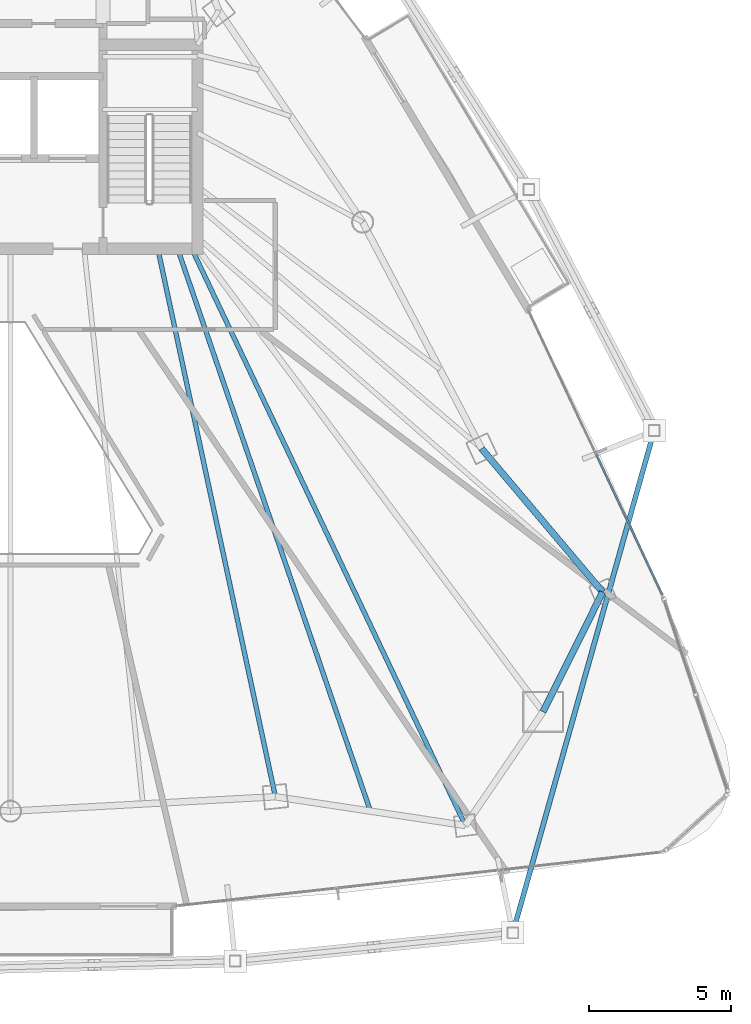
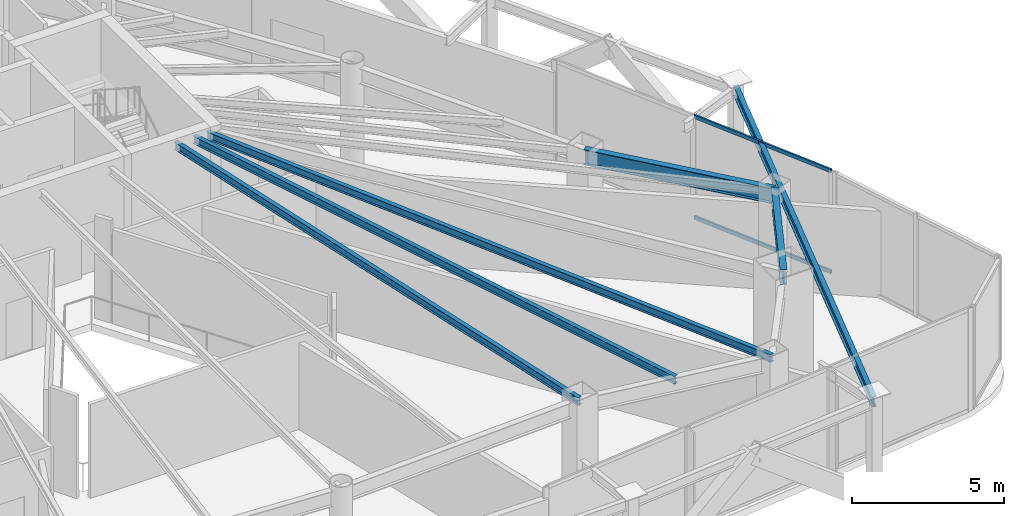
# One storey, part 13 of 28: 6 beams, 2 members, 1 element without a shape of its own.
"""IFC4 building model written with IfcOpenShell, lengths in metres."""

from ifc_helpers import new_model, si_unit, direction, frame, origin, origin_2d, place, context, subcontext, project, spatial, hollow_rectangle, i_section, extrude, material, layer, layer_set, material_profile, profile_set, type_object, element, aggregate, save


model = new_model("IFC4")

# Units and contexts
model_context = context("Model", 3, precision=1e-05, world=origin(), true_north=direction((0.0, 1.0)))
body_context = subcontext(model_context, "Body", "Model", "MODEL_VIEW")
ifc_project = project(units=[si_unit("LENGTHUNIT", "METRE"), si_unit("AREAUNIT", "SQUARE_METRE"), si_unit("VOLUMEUNIT", "CUBIC_METRE"), si_unit("PLANEANGLEUNIT", "RADIAN"), si_unit("MASSUNIT", "GRAM", prefix="KILO")], contexts=[model_context])

# Site, building, storey
site_placement = place(None, origin())
site = spatial("IfcSite", under=ifc_project, at=site_placement, CompositionType="ELEMENT")
building_placement = place(site_placement, origin())
building = spatial("IfcBuilding", under=site, at=building_placement, Name="Orvanel Arch Residences", CompositionType="ELEMENT")
storey_placement = place(building_placement, frame((0.0, 0.0, 146.300048828125)))
storey = spatial("IfcBuildingStorey", under=building, at=storey_placement, Name="L41", CompositionType="ELEMENT", Elevation=146.300048828125)

# Beams
ifc_material_1 = material(Name="Structural steel AS/NZS 3679.1 Grade 300 (300 MPa)", Category="steel")
ifc_material_profile_1 = material_profile(ifc_material_1, i_section(OverallWidth=0.1650390625, OverallDepth=0.303955078125, WebThickness=0.006103515625, FlangeThickness=0.01025390625, at=origin_2d()), Name="310UB40.4")
ifc_profile_set_1 = profile_set([ifc_material_profile_1], Name="Structural steel AS/NZS 3679.1 Grade 300 (300 MPa)")
beam_type_1 = type_object("IfcBeamType", Name="BJ-310UB", PredefinedType="JOIST", material=ifc_profile_set_1)
beam_1_placement = place(storey_placement, frame((38.199951171875, 26.699951171875, 3.9580078125), z_axis=(0.209808012425, -0.977742603103, 0.0), x_axis=(0.977742603103, 0.209808012425, 0.0)))
element("IfcBeam", 1, at=beam_1_placement, inside=storey, type_object=beam_type_1, Name="L41 SE Wing Floor Joist", PredefinedType="JOIST", context=body_context, shape_type="SweptSolid", body=[
    extrude(i_section(OverallWidth=0.1650390625, OverallDepth=0.303955078125, WebThickness=0.006103515625, FlangeThickness=0.01025390625, at=origin_2d()), origin(), (0.0, 0.0, 1.0), 19.785400390625),
])
beam_2_placement = place(storey_placement, frame((39.39990234375, 26.699951171875, 3.9580078125), z_axis=(0.428614365266, -0.903487534993, 0.0), x_axis=(0.903487534993, 0.428614365266, 0.0)))
element("IfcBeam", 2, at=beam_2_placement, inside=storey, type_object=beam_type_1, Name="L41 MSE Wing Floor Joist", PredefinedType="JOIST", context=body_context, shape_type="SweptSolid", body=[
    extrude(i_section(OverallWidth=0.1650390625, OverallDepth=0.303955078125, WebThickness=0.006103515625, FlangeThickness=0.01025390625, at=origin_2d()), origin(), (0.0, 0.0, 1.0), 22.535888671875),
])
beam_3_placement = place(storey_placement, frame((38.89990234375, 26.699951171875, 3.9580078125), z_axis=(0.324257108963, -0.945968988544, 0.0), x_axis=(0.945968988544, 0.324257108963, 0.0)))
element("IfcBeam", 3, at=beam_3_placement, inside=storey, type_object=beam_type_1, Name="L41 JADD2 Wing Floor Joist", PredefinedType="JOIST", context=body_context, shape_type="SweptSolid", body=[
    extrude(i_section(OverallWidth=0.1650390625, OverallDepth=0.303955078125, WebThickness=0.006103515625, FlangeThickness=0.01025390625, at=origin_2d()), origin(), (0.0, 0.0, 1.0), 20.987060546875),
])
ifc_material_profile_2 = material_profile(ifc_material_1, i_section(OverallWidth=0.177978515625, OverallDepth=0.406005859375, WebThickness=0.0078125, FlangeThickness=0.0126953125, at=origin_2d()), Name="410UB59.7")
ifc_profile_set_2 = profile_set([ifc_material_profile_2], Name="Structural steel AS/NZS 3679.1 Grade 300 (300 MPa)")
beam_type_2 = type_object("IfcBeamType", Name="OB-410UB-EXT", PredefinedType="SPANDREL", material=ifc_profile_set_2)
beam_4_placement = place(storey_placement, frame((50.73291015625, 2.551025390625, 3.906982421875), z_axis=(0.270979715828, 0.962585057857, 0.0), x_axis=(-0.962585057857, 0.270979715828, 0.0)))
element("IfcBeam", 4, at=beam_4_placement, inside=storey, type_object=beam_type_2, Name="L41 Outer Perimeter Floor Ring Beam 08", PredefinedType="SPANDREL", context=body_context, shape_type="SweptSolid", body=[
    extrude(i_section(OverallWidth=0.177978515625, OverallDepth=0.406005859375, WebThickness=0.0078125, FlangeThickness=0.0126953125, at=origin_2d()), origin(), (0.0, 0.0, 1.0), 18.419189453125),
])
ifc_material_profile_3 = material_profile(ifc_material_1, i_section(OverallWidth=0.22900390625, OverallDepth=0.612060546875, WebThickness=0.011962890625, FlangeThickness=0.01953125, at=origin_2d()), Name="610UB125")
ifc_profile_set_3 = profile_set([ifc_material_profile_3], Name="Structural steel AS/NZS 3679.1 Grade 300 (300 MPa)")
beam_type_3 = type_object("IfcBeamType", Name="SP-610UB", PredefinedType="SPANDREL", material=ifc_profile_set_3)
beam_5_placement = place(storey_placement, frame((51.801025390625, 10.35107421875, 3.803955078125), z_axis=(0.44543469453, 0.895314432425, 0.0), x_axis=(-0.895314432425, 0.44543469453, 0.0)))
element("IfcBeam", 5, at=beam_5_placement, inside=storey, type_object=beam_type_3, Name="L41 Perimeter Spandrel Beam 09", PredefinedType="SPANDREL", context=body_context, shape_type="SweptSolid", body=[
    extrude(i_section(OverallWidth=0.22900390625, OverallDepth=0.612060546875, WebThickness=0.011962890625, FlangeThickness=0.01953125, at=origin_2d()), origin(), (0.0, 0.0, 1.0), 4.723388671875),
])
beam_6_placement = place(storey_placement, frame((53.905029296875, 14.580078125, 3.803955078125), z_axis=(-0.644950329775, 0.764224490659, 0.0), x_axis=(-0.764224490659, -0.644950329775, 0.0)))
element("IfcBeam", 6, at=beam_6_placement, inside=storey, type_object=beam_type_3, Name="L41 Perimeter Spandrel Beam 10", PredefinedType="SPANDREL", context=body_context, shape_type="SweptSolid", body=[
    extrude(i_section(OverallWidth=0.22900390625, OverallDepth=0.612060546875, WebThickness=0.011962890625, FlangeThickness=0.01953125, at=origin_2d()), origin(), (0.0, 0.0, 1.0), 6.623779296875),
])

# Curtain wall, members
ifc_material_2 = material(Name="Bronze-anodised aluminium AA6063-T6", Category="aluminium")
ifc_layer = layer(ifc_material_2, 0.195068359375)
ifc_layer_set = layer_set([ifc_layer], Name="Bronze-anodised aluminium AA6063-T6")
curtain_wall_type = type_object("IfcCurtainWallType", Name="CW6-COM-SYS", PredefinedType="NOTDEFINED", material=ifc_layer_set)
curtain_wall_placement = place(storey_placement, origin())
curtain_wall = element("IfcCurtainWall", 7, at=curtain_wall_placement, inside=storey, type_object=curtain_wall_type, Name="L41 CW6-COM-SYS Unitised Curtain Wall", PredefinedType="NOTDEFINED")
ifc_material_profile_4 = material_profile(ifc_material_2, hollow_rectangle(XDim=0.06494140625, YDim=0.14990234375, WallThickness=0.00390625, at=origin_2d()), Name="ALU150x65x4")
ifc_profile_set_4 = profile_set([ifc_material_profile_4], Name="Bronze-anodised aluminium AA6063-T6")
member_type = type_object("IfcMemberType", Name="TRN-150x65", PredefinedType="USERDEFINED", material=ifc_profile_set_4)
member_1_placement = place(storey_placement, frame((56.005126953125, 14.498779296875, 0.032470703125), z_axis=(-0.42584431911, 0.904796449972, 0.0), x_axis=(-0.904796449972, -0.42584431911, 0.0)))
member_1 = element("IfcMember", 8, at=member_1_placement, type_object=member_type, Name="CW-S6 transom 1.1", ObjectType="TRANSOM", PredefinedType="USERDEFINED", context=body_context, shape_type="SweptSolid", body=[
    extrude(hollow_rectangle(XDim=0.06494140625, YDim=0.14990234375, WallThickness=0.00390625, at=origin_2d()), origin(), (0.0, 0.0, 1.0), 5.470458984375),
])
member_2_placement = place(storey_placement, frame((56.005126953125, 14.498779296875, 4.077392578125), z_axis=(-0.42584431911, 0.904796449972, 0.0), x_axis=(-0.904796449972, -0.42584431911, 0.0)))
member_2 = element("IfcMember", 9, at=member_2_placement, type_object=member_type, Name="CW-S6 transom 1.2", ObjectType="TRANSOM", PredefinedType="USERDEFINED", context=body_context, shape_type="SweptSolid", body=[
    extrude(hollow_rectangle(XDim=0.06494140625, YDim=0.14990234375, WallThickness=0.00390625, at=origin_2d()), origin(), (0.0, 0.0, 1.0), 5.470458984375),
])
aggregate(curtain_wall, [member_1, member_2])

save(model, "model.ifc")
